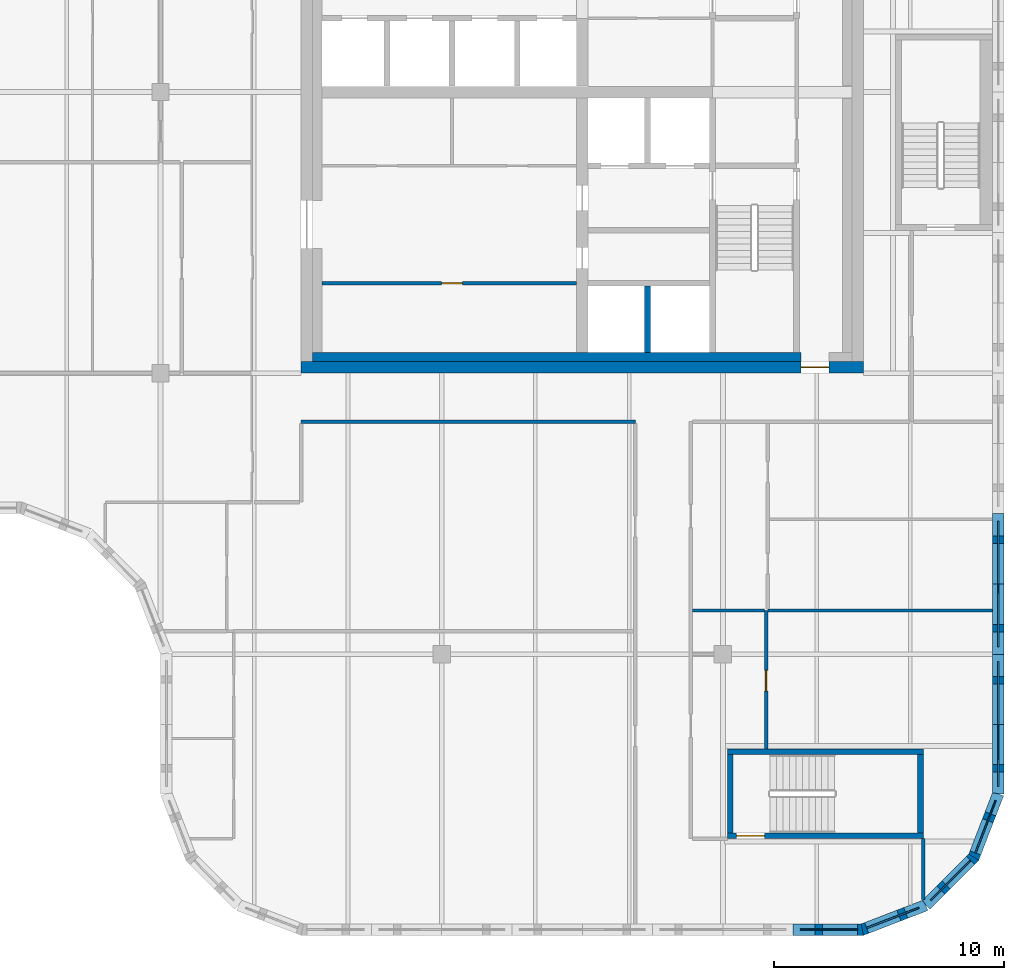
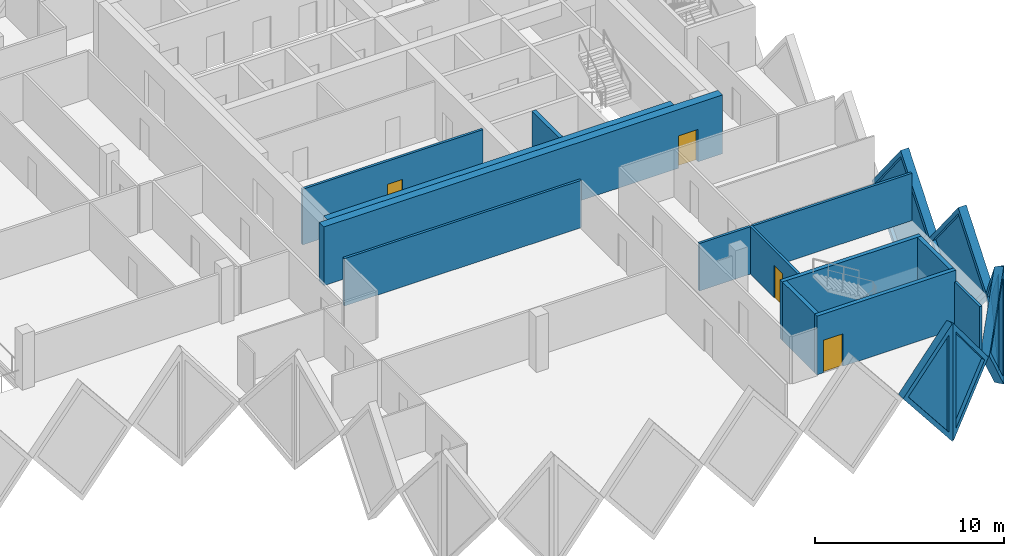
# One storey, part 5 of 11: 19 walls, 6 plates, 4 doors, 10 openings.
"""IFC4 building model written with IfcOpenShell, lengths in metres."""

import ifcopenshell
import ifcopenshell.guid

model = None  # the IFC model being written
_history = None  # IfcOwnerHistory: only IFC2X3 demands one
_inside = {}  # id of a spatial element -> (the spatial element, [elements in it])
_under = {}  # id of a project, library or spatial element -> (it, [spatial elements below it])
_declared = {}  # id of a project -> (the project, [libraries it declares])
_typed = {}  # id of a type object -> (the type object, [elements of that type])
_made_of = {}  # id of a material, layer set ... -> (it, [elements and type objects made of it])


def new_model(schema):
    """Start an empty IFC model of exactly this schema.

    Asked for "IFC4X3", IfcOpenShell would pick the latest addendum, in which some entities
    have other attributes; the version numbers below select the first issue.
    IFC2X3 requires an IfcOwnerHistory on every rooted entity: one is made here for all.
    """
    global model, _history
    if schema == "IFC4X3":
        model = ifcopenshell.file(schema_version=(4, 3, 0, 0))
    else:
        model = ifcopenshell.file(schema=schema)
    _inside.clear()
    _under.clear()
    _declared.clear()
    _typed.clear()
    _made_of.clear()
    _history = None
    if model.schema == "IFC2X3":
        org = make("IfcOrganization", Name="unknown")
        user = make(
            "IfcPersonAndOrganization",
            ThePerson=make("IfcPerson", FamilyName="unknown"),
            TheOrganization=org,
        )
        app = make(
            "IfcApplication",
            ApplicationDeveloper=org,
            Version="unknown",
            ApplicationFullName="unknown",
            ApplicationIdentifier="unknown",
        )
        _history = make(
            "IfcOwnerHistory",
            OwningUser=user,
            OwningApplication=app,
            ChangeAction="ADDED",
            CreationDate=0,
        )
    return model


def make(cls, **values):
    """One entity of the class cls with the attributes given. An attribute that is None is left unset."""
    return model.create_entity(
        cls, **{name: value for name, value in values.items() if value is not None}
    )


def rooted(cls, **values):
    """An entity with a GlobalId (a new one), such as an element, a storey or a relation."""
    return make(cls, GlobalId=ifcopenshell.guid.new(), OwnerHistory=_history, **values)


def si_unit(unit_type, name, prefix=None):
    """IfcSIUnit, for example si_unit("LENGTHUNIT", "METRE", prefix="MILLI")."""
    return make("IfcSIUnit", UnitType=unit_type, Prefix=prefix, Name=name)


def assignment(units):
    """IfcUnitAssignment: the units of a project."""
    return None if units is None else make("IfcUnitAssignment", Units=units)


def point(xyz):
    """IfcCartesianPoint."""
    return None if xyz is None else make("IfcCartesianPoint", Coordinates=xyz)


def direction(xyz):
    """IfcDirection."""
    return None if xyz is None else make("IfcDirection", DirectionRatios=xyz)


def frame(location, z_axis=None, x_axis=None):
    """IfcAxis2Placement3D, a coordinate frame: its origin and axes. An axis left out is left unset."""
    return make(
        "IfcAxis2Placement3D",
        Location=point(location),
        Axis=direction(z_axis),
        RefDirection=direction(x_axis),
    )


def frame_2d(location, x_axis=None):
    """IfcAxis2Placement2D, a coordinate frame in the plane: its origin and x axis."""
    return make(
        "IfcAxis2Placement2D", Location=point(location), RefDirection=direction(x_axis)
    )


def origin():
    """The frame at (0, 0, 0) with its axes left unset."""
    return frame((0.0, 0.0, 0.0))


def place(relative_to, where):
    """IfcLocalPlacement: puts the frame where relative to a parent placement (None: the world)."""
    return make(
        "IfcLocalPlacement", PlacementRelTo=relative_to, RelativePlacement=where
    )


def context(
    kind, dimensions, precision=None, world=None, true_north=None, identifier=None
):
    """IfcGeometricRepresentationContext, for example the 3D "Model" context."""
    return make(
        "IfcGeometricRepresentationContext",
        ContextIdentifier=identifier,
        ContextType=kind,
        CoordinateSpaceDimension=dimensions,
        Precision=precision,
        WorldCoordinateSystem=world,
        TrueNorth=true_north,
    )


def subcontext(parent, identifier, kind, view, scale=None):
    """IfcGeometricRepresentationSubContext, for example "Body" below "Model"."""
    return make(
        "IfcGeometricRepresentationSubContext",
        ContextIdentifier=identifier,
        ContextType=kind,
        ParentContext=parent,
        TargetScale=scale,
        TargetView=view,
    )


def project(units=None, contexts=None):
    """IfcProject with its units and contexts."""
    return rooted(
        "IfcProject",
        Name="project",
        RepresentationContexts=contexts,
        UnitsInContext=assignment(units),
    )


def spatial(cls, under=None, at=None, **own):
    """A site, building, storey or space (cls), placed at a placement, below another one or the project."""
    s = rooted(cls, ObjectPlacement=at, **own)
    if under is not None:
        _under.setdefault(under.id(), (under, []))[1].append(s)
    return s


def polyline(points):
    """IfcPolyline through the points."""
    return make("IfcPolyline", Points=[point(p) for p in points])


def profile(cls, at=None, kind="AREA", **sizes):
    """A parametric profile (cls). Its sizes go by their IFC names, for example OverallWidth=200.0."""
    return make(cls, ProfileType=kind, Position=at, **sizes)


def rectangle(**sizes):
    """IfcRectangleProfileDef."""
    return profile("IfcRectangleProfileDef", **sizes)


def outline(outer, holes=None, kind="AREA"):
    """IfcArbitraryClosedProfileDef: a profile drawn as a closed curve; with holes, ...WithVoids."""
    if holes is None:
        return make("IfcArbitraryClosedProfileDef", ProfileType=kind, OuterCurve=outer)
    return make(
        "IfcArbitraryProfileDefWithVoids",
        ProfileType=kind,
        OuterCurve=outer,
        InnerCurves=holes,
    )


def extrude(swept, where, along, depth):
    """IfcExtrudedAreaSolid: the profile swept, set in the frame where, extruded along a direction by depth."""
    return make(
        "IfcExtrudedAreaSolid",
        SweptArea=swept,
        Position=where,
        ExtrudedDirection=direction(along),
        Depth=depth,
    )


def faces_of(points, faces, orient=None, outer=None):
    """IfcFace entities. A face is a list of loops; a loop is a list of indices into points, from 0.

    orient and outer hold one flag for each loop. By default every Orientation is true, the
    first loop of a face is its IfcFaceOuterBound and the others are IfcFaceBound.
    """
    made = []
    for i, loops in enumerate(faces):
        bounds = []
        for j, loop in enumerate(loops):
            is_outer = j == 0 if outer is None else outer[i][j]
            bounds.append(
                make(
                    "IfcFaceOuterBound" if is_outer else "IfcFaceBound",
                    Bound=make("IfcPolyLoop", Polygon=[points[k] for k in loop]),
                    Orientation=True if orient is None else orient[i][j],
                )
            )
        made.append(make("IfcFace", Bounds=bounds))
    return made


def faceted_brep(points, faces, orient=None, outer=None, voids=None):
    """IfcFacetedBrep: a solid bounded by flat faces; with voids (closed shells), ...WithVoids."""
    shared = [point(p) for p in points]
    hull = make("IfcClosedShell", CfsFaces=faces_of(shared, faces, orient, outer))
    if voids is None:
        return make("IfcFacetedBrep", Outer=hull)
    return make(
        "IfcFacetedBrepWithVoids",
        Outer=hull,
        Voids=[
            make(cls, CfsFaces=faces_of(shared, fs, o, b)) for cls, fs, o, b in voids
        ],
    )


def shape(context_of_items, identifier, shape_type, items):
    """IfcShapeRepresentation: the items that make up one representation, for example the "Body"."""
    return make(
        "IfcShapeRepresentation",
        ContextOfItems=context_of_items,
        RepresentationIdentifier=identifier,
        RepresentationType=shape_type,
        Items=items,
    )


def source(mapping_origin, context_of_items, identifier, shape_type, items):
    """IfcRepresentationMap: a shape defined once, which mapped items show again and again."""
    return make(
        "IfcRepresentationMap",
        MappingOrigin=mapping_origin,
        MappedRepresentation=shape(context_of_items, identifier, shape_type, items),
    )


def transform(
    local_origin,
    x_axis=None,
    y_axis=None,
    z_axis=None,
    scale=None,
    scale2=None,
    scale3=None,
    uniform=True,
):
    """IfcCartesianTransformationOperator3D, or its non-uniform kind. x_axis, y_axis, z_axis: its Axis1, 2, 3."""
    if uniform:
        return make(
            "IfcCartesianTransformationOperator3D",
            Axis1=direction(x_axis),
            Axis2=direction(y_axis),
            LocalOrigin=point(local_origin),
            Scale=scale,
            Axis3=direction(z_axis),
        )
    return make(
        "IfcCartesianTransformationOperator3DnonUniform",
        Axis1=direction(x_axis),
        Axis2=direction(y_axis),
        LocalOrigin=point(local_origin),
        Scale=scale,
        Axis3=direction(z_axis),
        Scale2=scale2,
        Scale3=scale3,
    )


def mapped(mapping_source, mapping_target):
    """IfcMappedItem: shows the shape of a source again, moved by a transform."""
    return make(
        "IfcMappedItem", MappingSource=mapping_source, MappingTarget=mapping_target
    )


def material(Name=None, Category=None):
    """IfcMaterial."""
    return make("IfcMaterial", Name=Name, Category=Category)


def layer(
    of_material, thickness, ventilated=None, Name=None, Category=None, Priority=None
):
    """IfcMaterialLayer: one layer of a wall or slab, of a material (None: an air gap)."""
    return make(
        "IfcMaterialLayer",
        Material=of_material,
        LayerThickness=thickness,
        IsVentilated=ventilated,
        Name=Name,
        Category=Category,
        Priority=Priority,
    )


def layer_set(layers, Name=None):
    """IfcMaterialLayerSet."""
    return make("IfcMaterialLayerSet", MaterialLayers=layers, LayerSetName=Name)


def made_of(thing, what):
    """Note that an element or type object is made of a material, layer set ...; save() writes the relation."""
    if what is not None:
        _made_of.setdefault(what.id(), (what, []))[1].append(thing)
    return thing


def type_object(cls, material=None, **own):
    """A type object (cls), such as IfcWallType, which elements share."""
    return made_of(rooted(cls, **own), material)


def element(
    cls,
    number,
    at=None,
    inside=None,
    cuts=None,
    type_object=None,
    material=None,
    context=None,
    identifier="Body",
    shape_type=None,
    held_by="IfcProductDefinitionShape",
    body=None,
    shapes=None,
    **own,
):
    """One element of the class cls, such as IfcWall. Its Tag is "e" and its number.

    at: its placement. inside: the storey or other place that contains it. cuts: it is an
    opening in that element (IfcRelVoidsElement). A single representation is given by context,
    identifier, shape_type and body (its items); several are given by shapes. held_by: the class
    of the entity that holds the representations. save() writes the other relations.
    """
    e = rooted(cls, Tag="e%d" % number, ObjectPlacement=at, **own)
    if body is not None:
        shapes = [shape(context, identifier, shape_type, body)]
    if shapes is not None:
        e.Representation = make(held_by, Representations=shapes)
    if inside is not None:
        _inside.setdefault(inside.id(), (inside, []))[1].append(e)
    if cuts is not None:
        rooted(
            "IfcRelVoidsElement", RelatingBuildingElement=cuts, RelatedOpeningElement=e
        )
    if type_object is not None:
        _typed.setdefault(type_object.id(), (type_object, []))[1].append(e)
    return made_of(e, material)


def fill(opening, filler):
    """IfcRelFillsElement: the door or window that sits in an opening."""
    return rooted(
        "IfcRelFillsElement",
        RelatingOpeningElement=opening,
        RelatedBuildingElement=filler,
    )


def aggregate(whole, parts):
    """IfcRelAggregates: a whole, such as a stair, and the parts it consists of."""
    return rooted("IfcRelAggregates", RelatingObject=whole, RelatedObjects=parts)


def save(model, path):
    """Write the relations noted so far, then the file.

    IfcRelAggregates (storeys below a building ...), IfcRelContainedInSpatialStructure (elements
    in a storey), IfcRelDefinesByType, IfcRelAssociatesMaterial and IfcRelDeclares: one each for
    every whole, place, type object, material and project.
    """
    for whole, parts in _under.values():
        aggregate(whole, parts)
    for where, things in _inside.values():
        rooted(
            "IfcRelContainedInSpatialStructure",
            RelatedElements=things,
            RelatingStructure=where,
        )
    for kind, things in _typed.values():
        rooted("IfcRelDefinesByType", RelatedObjects=things, RelatingType=kind)
    for what, things in _made_of.values():
        rooted("IfcRelAssociatesMaterial", RelatedObjects=things, RelatingMaterial=what)
    for by, libraries in _declared.values():
        rooted("IfcRelDeclares", RelatingContext=by, RelatedDefinitions=libraries)
    model.write(path)


model = new_model("IFC4")

# Units and contexts
model_context = context("Model", 3, precision=1e-05, world=origin(), true_north=direction((0.0, 1.0)))
body_context = subcontext(model_context, "Body", "Model", "MODEL_VIEW")
ifc_project = project(units=[si_unit("LENGTHUNIT", "METRE"), si_unit("AREAUNIT", "SQUARE_METRE"), si_unit("VOLUMEUNIT", "CUBIC_METRE"), si_unit("PLANEANGLEUNIT", "RADIAN"), si_unit("MASSUNIT", "GRAM", prefix="KILO")], contexts=[model_context])

# Site, building, storey
site_placement = place(None, origin())
site = spatial("IfcSite", under=ifc_project, at=site_placement, CompositionType="ELEMENT")
building_placement = place(site_placement, origin())
building = spatial("IfcBuilding", under=site, at=building_placement, Name="Tessera Gate Towers", CompositionType="ELEMENT")
storey_placement = place(building_placement, frame((0.0, 0.0, 205.5)))
storey = spatial("IfcBuildingStorey", under=building, at=storey_placement, Name="L51", CompositionType="ELEMENT", Elevation=205.5)

# Wall
ifc_material_1 = material(Name="Concrete C40/50", Category="concrete")
ifc_layer_1 = layer(ifc_material_1, 0.25)
ifc_layer_set_1 = layer_set([ifc_layer_1], Name="CORE ENCLOSURE WALL 250")
wall_type_1 = type_object("IfcWallType", Name="CORE ENCLOSURE WALL 250", PredefinedType="SOLIDWALL", material=ifc_layer_set_1)
wall_1_placement = place(storey_placement, frame((45.52490234375, 25.300048828125, 0.0), z_axis=(0.0, 0.0, 1.0), x_axis=(0.0, 1.0, 0.0)))
element("IfcWall", 1, at=wall_1_placement, inside=storey, type_object=wall_type_1, Name="L51 shaft and stair enclosure wall", PredefinedType="SOLIDWALL", context=body_context, shape_type="SweptSolid", body=[
    extrude(rectangle(XDim=2.875, YDim=0.25, at=frame_2d((1.4375, 0.0))), origin(), (0.0, 0.0, 1.0), 3.800048828125),
])

# Wall, opening, door
wall_2_placement = place(storey_placement, frame((57.5, 4.324951171875, 0.0), z_axis=(0.0, 0.0, 1.0), x_axis=(-1.0, 0.0, 0.0)))
wall_2 = element("IfcWall", 2, at=wall_2_placement, inside=storey, type_object=wall_type_1, Name="L51 ST4 enclosure wall", PredefinedType="SOLIDWALL", context=body_context, shape_type="SweptSolid", body=[
    extrude(rectangle(XDim=8.5, YDim=0.25, at=frame_2d((4.25, 0.0))), origin(), (0.0, 0.0, 1.0), 3.800048828125),
])
shared_shape_1 = source(origin(), body_context, "Body", "SweptSolid", [
    extrude(rectangle(XDim=1.199951171875, YDim=2.10009765625, at=frame_2d((0.60009765625, 1.050048828125))), frame((0.0, 0.135009765625, 0.0), z_axis=(0.0, -1.0, 0.0), x_axis=(1.0, 0.0, 0.0)), (0.0, 0.0, 1.0), 0.27001953125),
])
opening_1_placement = place(wall_2_placement, frame((6.89990234375, 0.0, 0.0)))
opening_1 = element("IfcOpeningElement", 3, at=opening_1_placement, cuts=wall_2, Name="Opening SD-ST4-1", PredefinedType="OPENING", context=body_context, shape_type="MappedRepresentation", body=[
    mapped(shared_shape_1, transform((0.0, 0.0, 0.0), scale=1.0)),
])
ifc_material_2 = material(Name="Hollow steel fire door", Category="steel")
door_type_1 = type_object("IfcDoorType", Name="CORE DOOR SD 1200x2100", OperationType="NOTDEFINED", PredefinedType="DOOR", material=ifc_material_2)
shared_shape_2 = source(origin(), body_context, "Body", "SweptSolid", [
    extrude(rectangle(XDim=1.199951171875, YDim=2.10009765625, at=frame_2d((0.60009765625, 1.050048828125))), frame((0.0, 0.02490234375, 0.0), z_axis=(0.0, -1.0, 0.0), x_axis=(1.0, 0.0, 0.0)), (0.0, 0.0, 1.0), 0.050048828125),
])
door_1_placement = place(opening_1_placement, origin())
door_1 = element("IfcDoor", 4, at=door_1_placement, inside=storey, type_object=door_type_1, Name="Stair door", OperationType="SINGLE_SWING_RIGHT", OverallHeight=2.10009765625, OverallWidth=1.199951171875, PredefinedType="DOOR", context=body_context, shape_type="MappedRepresentation", body=[
    mapped(shared_shape_2, transform((0.0, 0.0, 0.0), scale=1.0)),
])
fill(opening_1, door_1)

# Walls
wall_3_placement = place(storey_placement, frame((49.125, 4.449951171875, 0.0), z_axis=(0.0, 0.0, 1.0), x_axis=(0.0, 1.0, 0.0)))
element("IfcWall", 5, at=wall_3_placement, inside=storey, type_object=wall_type_1, Name="L51 ST4 enclosure wall", PredefinedType="SOLIDWALL", context=body_context, shape_type="SweptSolid", body=[
    extrude(rectangle(XDim=3.400146484375, YDim=0.25, at=frame_2d((1.7001953125, 0.0))), origin(), (0.0, 0.0, 1.0), 3.800048828125),
])
wall_4_placement = place(storey_placement, frame((49.0, 7.97509765625, 0.0), z_axis=(0.0, 0.0, 1.0), x_axis=(1.0, 0.0, 0.0)))
element("IfcWall", 6, at=wall_4_placement, inside=storey, type_object=wall_type_1, Name="L51 ST4 enclosure wall", PredefinedType="SOLIDWALL", context=body_context, shape_type="SweptSolid", body=[
    extrude(rectangle(XDim=8.5, YDim=0.25, at=frame_2d((4.25, 0.0))), origin(), (0.0, 0.0, 1.0), 3.800048828125),
])
wall_5_placement = place(storey_placement, frame((57.375, 7.85009765625, 0.0), z_axis=(0.0, 0.0, 1.0), x_axis=(0.0, -1.0, 0.0)))
element("IfcWall", 7, at=wall_5_placement, inside=storey, type_object=wall_type_1, Name="L51 ST4 enclosure wall", PredefinedType="SOLIDWALL", context=body_context, shape_type="SweptSolid", body=[
    extrude(rectangle(XDim=3.400146484375, YDim=0.25, at=frame_2d((1.7001953125, 0.0))), origin(), (0.0, 0.0, 1.0), 3.800048828125),
])

# Wall, opening, door
ifc_material_3 = material(Name="Concrete C50/60", Category="concrete")
ifc_layer_2 = layer(ifc_material_3, 0.5)
ifc_layer_set_2 = layer_set([ifc_layer_2], Name="CORE SHEAR WALL 500 C50/60")
wall_type_2 = type_object("IfcWallType", Name="CORE SHEAR WALL 500 C50/60", PredefinedType="SHEAR", material=ifc_layer_set_2)
wall_6_placement = place(storey_placement, frame((54.89990234375, 24.64990234375, 0.0), z_axis=(0.0, 0.0, 1.0), x_axis=(-1.0, 0.0, 0.0)))
wall_6 = element("IfcWall", 8, at=wall_6_placement, inside=storey, type_object=wall_type_2, Name="Core wall S L51", PredefinedType="SHEAR", context=body_context, shape_type="SweptSolid", body=[
    extrude(rectangle(XDim=24.39990234375, YDim=0.5, at=frame_2d((12.199951171875, 0.0))), origin(), (0.0, 0.0, 1.0), 3.800048828125),
])
shared_shape_3 = source(origin(), body_context, "Body", "SweptSolid", [
    extrude(rectangle(XDim=1.199951171875, YDim=2.10009765625, at=frame_2d((0.60009765625, 1.050048828125))), frame((0.0, 0.260009765625, 0.0), z_axis=(0.0, -1.0, 0.0), x_axis=(1.0, 0.0, 0.0)), (0.0, 0.0, 1.0), 0.52001953125),
])
opening_2_placement = place(wall_6_placement, frame((1.5, 0.0, 0.0)))
opening_2 = element("IfcOpeningElement", 9, at=opening_2_placement, cuts=wall_6, Name="Opening ED-T1-31-01", PredefinedType="OPENING", context=body_context, shape_type="MappedRepresentation", body=[
    mapped(shared_shape_3, transform((0.0, 0.0, 0.0), scale=1.0)),
])
ifc_material_4 = material(Name="Hollow steel fire door", Category="steel")
door_type_2 = type_object("IfcDoorType", Name="CORE DOOR ED 1200x2100", OperationType="NOTDEFINED", PredefinedType="DOOR", material=ifc_material_4)
door_2_placement = place(opening_2_placement, origin())
door_2 = element("IfcDoor", 10, at=door_2_placement, inside=storey, type_object=door_type_2, Name="Core exit door", OperationType="SINGLE_SWING_LEFT", OverallHeight=2.10009765625, OverallWidth=1.199951171875, PredefinedType="DOOR", context=body_context, shape_type="MappedRepresentation", body=[
    mapped(shared_shape_2, transform((0.0, 0.0, 0.0), scale=1.0)),
])
fill(opening_2, door_2)

# Walls
ifc_material_5 = material(Name="Concrete C50/60", Category="concrete")
ifc_layer_3 = layer(ifc_material_5, 0.39990234375)
ifc_layer_set_3 = layer_set([ifc_layer_3], Name="CORE WALL THICKENING 400")
wall_type_3 = type_object("IfcWallType", Name="CORE WALL THICKENING 400", PredefinedType="SOLIDWALL", material=ifc_layer_set_3)
wall_7_placement = place(storey_placement, frame((31.0, 25.10009765625, 0.0), z_axis=(0.0, 0.0, 1.0), x_axis=(1.0, 0.0, 0.0)))
element("IfcWall", 11, at=wall_7_placement, inside=storey, type_object=wall_type_3, Name="Core wall thickening S L51", PredefinedType="SOLIDWALL", context=body_context, shape_type="SweptSolid", body=[
    extrude(rectangle(XDim=21.199951171875, YDim=0.39990234375, at=frame_2d((10.60009765625, 0.0))), origin(), (0.0, 0.0, 1.0), 3.800048828125),
])
ifc_material_6 = material(Name="Gypsum board on steel studs, mineral wool", Category="steel")
ifc_layer_4 = layer(ifc_material_6, 0.14990234375)
ifc_layer_set_4 = layer_set([ifc_layer_4], Name="CORRIDOR WALL 150")
wall_type_4 = type_object("IfcWallType", Name="CORRIDOR WALL 150", PredefinedType="PARTITIONING", material=ifc_layer_set_4)
wall_8_placement = place(storey_placement, frame((57.5, 1.55908203125, 0.0), z_axis=(0.0, 0.0, 1.0), x_axis=(0.0, 1.0, 0.0)))
element("IfcWall", 12, at=wall_8_placement, inside=storey, type_object=wall_type_4, Name="T1-L51-PW-002", PredefinedType="PARTITIONING", context=body_context, shape_type="SweptSolid", body=[
    extrude(rectangle(XDim=2.640869140625, YDim=0.14990234375, at=frame_2d((1.3203125, 0.0))), origin(), (0.0, 0.0, 1.0), 3.06689453125),
])
wall_9_placement = place(storey_placement, frame((30.5, 22.300048828125, 0.0), z_axis=(0.0, 0.0, 1.0), x_axis=(1.0, 0.0, 0.0)))
element("IfcWall", 13, at=wall_9_placement, inside=storey, type_object=wall_type_4, Name="T1-L51-PW-026", PredefinedType="PARTITIONING", context=body_context, shape_type="SweptSolid", body=[
    extrude(rectangle(XDim=14.5, YDim=0.14990234375, at=frame_2d((7.25, 0.0))), origin(), (0.0, 0.0, 1.0), 3.06689453125),
])

# Wall, opening, door
ifc_material_7 = material(Name="Gypsum board on steel studs", Category="steel")
ifc_layer_5 = layer(ifc_material_7, 0.14990234375)
ifc_layer_set_5 = layer_set([ifc_layer_5], Name="SERVICE ROOM WALL 150")
wall_type_5 = type_object("IfcWallType", Name="SERVICE ROOM WALL 150", PredefinedType="PARTITIONING", material=ifc_layer_set_5)
wall_10_placement = place(storey_placement, frame((42.449951171875, 28.300048828125, 0.0), z_axis=(0.0, 0.0, 1.0), x_axis=(-1.0, 0.0, 0.0)))
wall_10 = element("IfcWall", 14, at=wall_10_placement, inside=storey, type_object=wall_type_5, Name="L51 service room wall", PredefinedType="PARTITIONING", context=body_context, shape_type="SweptSolid", body=[
    extrude(rectangle(XDim=11.050048828125, YDim=0.14990234375, at=frame_2d((5.52490234375, 0.0))), origin(), (0.0, 0.0, 1.0), 3.60009765625),
])
shared_shape_4 = source(origin(), body_context, "Body", "SweptSolid", [
    extrude(rectangle(XDim=0.89990234375, YDim=2.10009765625, at=frame_2d((0.449951171875, 1.050048828125))), frame((0.0, 0.0849609375, 0.0), z_axis=(0.0, -1.0, 0.0), x_axis=(1.0, 0.0, 0.0)), (0.0, 0.0, 1.0), 0.169921875),
])
opening_3_placement = place(wall_10_placement, frame((4.949951171875, 0.0, 0.0)))
opening_3 = element("IfcOpeningElement", 15, at=opening_3_placement, cuts=wall_10, Name="Opening RD-T1-31-07", PredefinedType="OPENING", context=body_context, shape_type="MappedRepresentation", body=[
    mapped(shared_shape_4, transform((0.0, 0.0, 0.0), scale=1.0)),
])
ifc_material_8 = material(Name="Hollow steel fire door", Category="steel")
door_type_3 = type_object("IfcDoorType", Name="CORE DOOR RD 900x2100", OperationType="NOTDEFINED", PredefinedType="DOOR", material=ifc_material_8)
shared_shape_5 = source(origin(), body_context, "Body", "SweptSolid", [
    extrude(rectangle(XDim=0.89990234375, YDim=2.10009765625, at=frame_2d((0.449951171875, 1.050048828125))), frame((0.0, 0.02490234375, 0.0), z_axis=(0.0, -1.0, 0.0), x_axis=(1.0, 0.0, 0.0)), (0.0, 0.0, 1.0), 0.050048828125),
])
door_3_placement = place(opening_3_placement, origin())
door_3 = element("IfcDoor", 16, at=door_3_placement, inside=storey, type_object=door_type_3, Name="Core room door", OperationType="SINGLE_SWING_LEFT", OverallHeight=2.10009765625, OverallWidth=0.89990234375, PredefinedType="DOOR", context=body_context, shape_type="MappedRepresentation", body=[
    mapped(shared_shape_5, transform((0.0, 0.0, 0.0), scale=1.0)),
])
fill(opening_3, door_3)

ifc_material_9 = material(Name="Gypsum board on steel studs, mineral wool", Category="steel")
ifc_layer_6 = layer(ifc_material_9, 0.14990234375)
ifc_layer_set_6 = layer_set([ifc_layer_6], Name="TENANCY WALL 150")
wall_type_6 = type_object("IfcWallType", Name="TENANCY WALL 150", PredefinedType="PARTITIONING", material=ifc_layer_set_6)
wall_11_placement = place(storey_placement, frame((50.675048828125, 14.10009765625, 0.0), z_axis=(0.0, 0.0, 1.0), x_axis=(0.0, -1.0, 0.0)))
wall_11 = element("IfcWall", 17, at=wall_11_placement, inside=storey, type_object=wall_type_6, Name="T1-L51-PW-007", PredefinedType="PARTITIONING", context=body_context, shape_type="SweptSolid", body=[
    extrude(rectangle(XDim=6.0, YDim=0.14990234375, at=frame_2d((3.0, 0.0))), origin(), (0.0, 0.0, 1.0), 3.06689453125),
])
opening_4_placement = place(wall_11_placement, frame((2.60009765625, 0.0, 0.0)))
opening_4 = element("IfcOpeningElement", 18, at=opening_4_placement, cuts=wall_11, Name="Opening D190-A18-04", PredefinedType="OPENING", context=body_context, shape_type="MappedRepresentation", body=[
    mapped(shared_shape_4, transform((0.0, 0.0, 0.0), scale=1.0)),
])
ifc_material_10 = material(Name="Timber door leaf in steel frame", Category="steel")
door_type_4 = type_object("IfcDoorType", Name="INTERNAL DOOR 900 NOT RATED", OperationType="NOTDEFINED", PredefinedType="DOOR", material=ifc_material_10)
door_4_placement = place(opening_4_placement, origin())
door_4 = element("IfcDoor", 19, at=door_4_placement, inside=storey, type_object=door_type_4, Name="T1-L51-PD-009", OperationType="SINGLE_SWING_RIGHT", OverallHeight=2.10009765625, OverallWidth=0.89990234375, PredefinedType="DOOR", context=body_context, shape_type="MappedRepresentation", body=[
    mapped(shared_shape_5, transform((0.0, 0.0, 0.0), scale=1.0)),
])
fill(opening_4, door_4)

# Walls
wall_12_placement = place(storey_placement, frame((47.47607421875, 14.10009765625, 0.0), z_axis=(0.0, 0.0, 1.0), x_axis=(1.0, 0.0, 0.0)))
element("IfcWall", 20, at=wall_12_placement, inside=storey, type_object=wall_type_6, Name="T1-L51-PW-015", PredefinedType="PARTITIONING", context=body_context, shape_type="SweptSolid", body=[
    extrude(rectangle(XDim=3.123046875, YDim=0.14990234375, at=frame_2d((1.5615234375, 0.0))), origin(), (0.0, 0.0, 1.0), 3.06689453125),
])
wall_13_placement = place(storey_placement, frame((50.75, 14.10009765625, 0.0), z_axis=(0.0, 0.0, 1.0), x_axis=(1.0, 0.0, 0.0)))
element("IfcWall", 21, at=wall_13_placement, inside=storey, type_object=wall_type_6, Name="T1-L51-PW-016", PredefinedType="PARTITIONING", context=body_context, shape_type="SweptSolid", body=[
    extrude(rectangle(XDim=9.75, YDim=0.14990234375, at=frame_2d((4.875, 0.0))), origin(), (0.0, 0.0, 1.0), 3.06689453125),
])

# Wall, opening, plate
ifc_material_11 = material(Name="Precast concrete C60/75 white", Category="concrete")
ifc_layer_7 = layer(ifc_material_11, 0.5)
ifc_layer_set_7 = layer_set([ifc_layer_7], Name="TS1 tessera")
wall_type_7 = type_object("IfcWallType", Name="TS1 tessera", PredefinedType="SOLIDWALL", material=ifc_layer_set_7)
shared_shape_6 = source(origin(), body_context, "Body", "Brep", [
    faceted_brep([(3.00341796875, -0.25, 0.0), (6.053466796875, -0.25, 3.800048828125), (3.00341796875, -0.25, 7.60009765625), (0.0, -0.25, 3.800048828125), (0.046630859375, 0.25, 3.85888671875), (3.00341796875, 0.25, 7.60009765625), (6.053466796875, 0.25, 3.800048828125), (3.00341796875, 0.25, 0.0), (0.046630859375, 0.25, 3.7412109375), (0.0, 0.0, 3.800048828125)], [[[0, 1, 2, 3]], [[4, 5, 6, 7, 8]], [[7, 6, 1, 0]], [[6, 5, 2, 1]], [[5, 4, 9, 3, 2]], [[8, 7, 0, 3, 9]], [[8, 9, 4]]]),
])
wall_14_placement = place(storey_placement, frame((60.75, 6.146484375, -3.800048828125), z_axis=(0.0, 0.0, 1.0), x_axis=(0.0, 1.0, 0.0)))
wall_14 = element("IfcWall", 22, at=wall_14_placement, inside=storey, type_object=wall_type_7, Name="Precast tessera T1 TS1-0877", PredefinedType="SOLIDWALL", context=body_context, shape_type="MappedRepresentation", body=[
    mapped(shared_shape_6, transform((0.0, 0.0, 0.0), scale=1.0)),
])
shared_shape_7 = source(origin(), body_context, "Body", "SweptSolid", [
    extrude(outline(polyline([(3.0048828125, 0.4013671875), (5.73291015625, 3.800048828125), (3.0048828125, 7.19873046875), (0.318603515625, 3.800048828125), (3.0048828125, 0.4013671875)])), frame((0.0, 0.260009765625, 0.0), z_axis=(0.0, -1.0, 0.0), x_axis=(1.0, 0.0, 0.0)), (0.0, 0.0, 1.0), 0.52001953125),
])
opening_5_placement = place(wall_14_placement, origin())
opening_5 = element("IfcOpeningElement", 23, at=opening_5_placement, cuts=wall_14, Name="Opening T1-PL2-1795", PredefinedType="OPENING", context=body_context, shape_type="MappedRepresentation", body=[
    mapped(shared_shape_7, transform((0.0, 0.0, 0.0), scale=1.0)),
])
ifc_material_12 = material(Name="Low-e laminated glass", Category="glass")
ifc_layer_8 = layer(ifc_material_12, 0.06005859375)
ifc_layer_set_8 = layer_set([ifc_layer_8], Name="PL2 rhombic pane")
plate_type = type_object("IfcPlateType", Name="PL2 rhombic pane", PredefinedType="SHEET", material=ifc_layer_set_8)
shared_shape_8 = source(origin(), body_context, "Body", "SweptSolid", [
    extrude(outline(polyline([(3.0048828125, 0.4013671875), (5.73291015625, 3.800048828125), (3.0048828125, 7.19873046875), (0.318603515625, 3.800048828125), (3.0048828125, 0.4013671875)])), frame((0.0, 0.030029296875, 0.0), z_axis=(0.0, -1.0, 0.0), x_axis=(1.0, 0.0, 0.0)), (0.0, 0.0, 1.0), 0.06005859375),
])
plate_1_placement = place(opening_5_placement, origin())
plate_1 = element("IfcPlate", 24, at=plate_1_placement, inside=storey, type_object=plate_type, Name="Glass pane T1 PL2-1795", PredefinedType="SHEET", context=body_context, shape_type="MappedRepresentation", body=[
    mapped(shared_shape_8, transform((0.0, 0.0, 0.0), scale=1.0)),
])
fill(opening_5, plate_1)

shared_shape_9 = source(origin(), body_context, "Body", "SweptSolid", [
    extrude(outline(polyline([(3.050048828125, 0.0), (6.10009765625, 3.800048828125), (3.050048828125, 7.60009765625), (0.0, 3.800048828125), (3.050048828125, 0.0)])), frame((0.0, 0.25, 0.0), z_axis=(0.0, -1.0, 0.0), x_axis=(1.0, 0.0, 0.0)), (0.0, 0.0, 1.0), 0.5),
])
wall_15_placement = place(storey_placement, frame((60.75, 12.199951171875, -3.800048828125), z_axis=(0.0, 0.0, 1.0), x_axis=(0.0, 1.0, 0.0)))
wall_15 = element("IfcWall", 25, at=wall_15_placement, inside=storey, type_object=wall_type_7, Name="Precast tessera T1 TS1-0878", PredefinedType="SOLIDWALL", context=body_context, shape_type="MappedRepresentation", body=[
    mapped(shared_shape_9, transform((0.0, 0.0, 0.0), scale=1.0)),
])
shared_shape_10 = source(origin(), body_context, "Body", "SweptSolid", [
    extrude(outline(polyline([(3.050048828125, 0.3994140625), (5.779541015625, 3.800048828125), (3.050048828125, 7.20068359375), (0.320556640625, 3.800048828125), (3.050048828125, 0.3994140625)])), frame((0.0, 0.260009765625, 0.0), z_axis=(0.0, -1.0, 0.0), x_axis=(1.0, 0.0, 0.0)), (0.0, 0.0, 1.0), 0.52001953125),
])
opening_6_placement = place(wall_15_placement, origin())
opening_6 = element("IfcOpeningElement", 26, at=opening_6_placement, cuts=wall_15, Name="Opening T1-PL2-1796", PredefinedType="OPENING", context=body_context, shape_type="MappedRepresentation", body=[
    mapped(shared_shape_10, transform((0.0, 0.0, 0.0), scale=1.0)),
])
shared_shape_11 = source(origin(), body_context, "Body", "SweptSolid", [
    extrude(outline(polyline([(3.050048828125, 0.3994140625), (5.779541015625, 3.800048828125), (3.050048828125, 7.20068359375), (0.320556640625, 3.800048828125), (3.050048828125, 0.3994140625)])), frame((0.0, 0.030029296875, 0.0), z_axis=(0.0, -1.0, 0.0), x_axis=(1.0, 0.0, 0.0)), (0.0, 0.0, 1.0), 0.06005859375),
])
plate_2_placement = place(opening_6_placement, origin())
plate_2 = element("IfcPlate", 27, at=plate_2_placement, inside=storey, type_object=plate_type, Name="Glass pane T1 PL2-1796", PredefinedType="SHEET", context=body_context, shape_type="MappedRepresentation", body=[
    mapped(shared_shape_11, transform((0.0, 0.0, 0.0), scale=1.0)),
])
fill(opening_6, plate_2)

ifc_material_13 = material(Name="Precast concrete C60/75 white", Category="concrete")
ifc_layer_9 = layer(ifc_material_13, 0.5)
ifc_layer_set_9 = layer_set([ifc_layer_9], Name="TS3 corner tessera")
wall_type_8 = type_object("IfcWallType", Name="TS3 corner tessera", PredefinedType="SOLIDWALL", material=ifc_layer_set_9)
shared_shape_12 = source(origin(), body_context, "Body", "Brep", [
    faceted_brep([(3.00341796875, -0.25, 0.0), (3.050048828125, -0.25, 0.06005859375), (3.050048828125, -0.25, 7.5400390625), (3.00341796875, -0.25, 7.60009765625), (0.0, -0.25, 3.800048828125), (0.0, 0.25, 3.800048828125), (2.956787109375, 0.25, 7.541259765625), (2.956787109375, 0.25, 0.058837890625), (3.00341796875, 0.000244140625, 0.0), (3.00341796875, 0.000244140625, 7.60009765625)], [[[0, 1, 2, 3, 4]], [[5, 6, 7]], [[1, 0, 8]], [[9, 3, 2]], [[6, 5, 4, 3, 9]], [[5, 7, 8, 0, 4]], [[1, 8, 7, 6, 9, 2]]]),
])
wall_16_placement = place(storey_placement, frame((51.85009765625, 0.25, -3.800048828125), z_axis=(0.0, 0.0, 1.0), x_axis=(1.0, 0.0, 0.0)))
wall_16 = element("IfcWall", 28, at=wall_16_placement, inside=storey, type_object=wall_type_8, Name="Precast corner tessera T1 TS3-1179", PredefinedType="SOLIDWALL", context=body_context, shape_type="MappedRepresentation", body=[
    mapped(shared_shape_12, transform((0.0, 0.0, 0.0), scale=1.0)),
])
shared_shape_13 = source(origin(), body_context, "Body", "SweptSolid", [
    extrude(outline(polyline([(2.803466796875, 6.94384765625), (0.318603515625, 3.800048828125), (2.803466796875, 0.65625), (2.803466796875, 6.94384765625)])), frame((0.0, 0.260009765625, 0.0), z_axis=(0.0, -1.0, 0.0), x_axis=(1.0, 0.0, 0.0)), (0.0, 0.0, 1.0), 0.52001953125),
])
opening_7_placement = place(wall_16_placement, origin())
opening_7 = element("IfcOpeningElement", 29, at=opening_7_placement, cuts=wall_16, Name="Opening T1-PL2-1791", PredefinedType="OPENING", context=body_context, shape_type="MappedRepresentation", body=[
    mapped(shared_shape_13, transform((0.0, 0.0, 0.0), scale=1.0)),
])
shared_shape_14 = source(origin(), body_context, "Body", "SweptSolid", [
    extrude(outline(polyline([(2.803466796875, 6.94384765625), (0.318603515625, 3.800048828125), (2.803466796875, 0.65625), (2.803466796875, 6.94384765625)])), frame((0.0, 0.030029296875, 0.0), z_axis=(0.0, -1.0, 0.0), x_axis=(1.0, 0.0, 0.0)), (0.0, 0.0, 1.0), 0.06005859375),
])
plate_3_placement = place(opening_7_placement, origin())
plate_3 = element("IfcPlate", 30, at=plate_3_placement, inside=storey, type_object=plate_type, Name="Glass pane T1 PL2-1791", PredefinedType="SHEET", context=body_context, shape_type="MappedRepresentation", body=[
    mapped(shared_shape_14, transform((0.0, 0.0, 0.0), scale=1.0)),
])
fill(opening_7, plate_3)

shared_shape_15 = source(origin(), body_context, "Body", "Brep", [
    faceted_brep([(0.046630859375, -0.25, 0.0), (2.9970703125, -0.25, 3.800048828125), (0.046630859375, -0.25, 7.60009765625), (0.0, -0.25, 7.541259765625), (0.0, -0.25, 0.058837890625), (0.09326171875, 0.25, 7.5400390625), (2.9443359375, 0.25, 3.8681640625), (2.9443359375, 0.25, 3.73193359375), (0.09326171875, 0.25, 0.06005859375), (2.9970703125, 0.00048828125, 3.800048828125), (0.046630859375, 0.0, 0.0), (0.046630859375, 0.0, 7.60009765625)], [[[0, 1, 2, 3, 4]], [[5, 6, 7, 8]], [[8, 7, 9, 1, 0, 10]], [[6, 5, 11, 2, 1, 9]], [[3, 2, 11]], [[10, 0, 4]], [[8, 10, 4, 3, 11, 5]], [[9, 7, 6]]]),
])
wall_17_placement = place(storey_placement, frame((54.81005859375, 0.233154296875, -3.800048828125), z_axis=(0.0, 0.0, 1.0), x_axis=(0.932990326376, 0.359901446078, 0.0)))
wall_17 = element("IfcWall", 31, at=wall_17_placement, inside=storey, type_object=wall_type_8, Name="Precast corner tessera T1 TS3-1180", PredefinedType="SOLIDWALL", context=body_context, shape_type="MappedRepresentation", body=[
    mapped(shared_shape_15, transform((0.0, 0.0, 0.0), scale=1.0)),
])
shared_shape_16 = source(origin(), body_context, "Body", "SweptSolid", [
    extrude(outline(polyline([(0.24658203125, 0.665283203125), (2.6806640625, 3.800048828125), (0.24658203125, 6.934814453125), (0.24658203125, 0.665283203125)])), frame((0.0, 0.260009765625, 0.0), z_axis=(0.0, -1.0, 0.0), x_axis=(1.0, 0.0, 0.0)), (0.0, 0.0, 1.0), 0.52001953125),
])
opening_8_placement = place(wall_17_placement, origin())
opening_8 = element("IfcOpeningElement", 32, at=opening_8_placement, cuts=wall_17, Name="Opening T1-PL2-1792", PredefinedType="OPENING", context=body_context, shape_type="MappedRepresentation", body=[
    mapped(shared_shape_16, transform((0.0, 0.0, 0.0), scale=1.0)),
])
shared_shape_17 = source(origin(), body_context, "Body", "SweptSolid", [
    extrude(outline(polyline([(0.24658203125, 0.665283203125), (2.6806640625, 3.800048828125), (0.24658203125, 6.934814453125), (0.24658203125, 0.665283203125)])), frame((0.0, 0.030029296875, 0.0), z_axis=(0.0, -1.0, 0.0), x_axis=(1.0, 0.0, 0.0)), (0.0, 0.0, 1.0), 0.06005859375),
])
plate_4_placement = place(opening_8_placement, origin())
plate_4 = element("IfcPlate", 33, at=plate_4_placement, inside=storey, type_object=plate_type, Name="Glass pane T1 PL2-1792", PredefinedType="SHEET", context=body_context, shape_type="MappedRepresentation", body=[
    mapped(shared_shape_17, transform((0.0, 0.0, 0.0), scale=1.0)),
])
fill(opening_8, plate_4)

shared_shape_18 = source(origin(), body_context, "Body", "Brep", [
    faceted_brep([(2.944091796875, -0.25, 0.0), (2.9970703125, -0.25, 0.068115234375), (2.9970703125, -0.25, 7.531982421875), (2.944091796875, -0.25, 7.60009765625), (0.0, -0.25, 3.800048828125), (0.052978515625, 0.25, 3.868408203125), (2.89111328125, 0.25, 7.531982421875), (2.89111328125, 0.25, 0.068115234375), (0.052978515625, 0.25, 3.731689453125), (2.944091796875, 0.000244140625, 0.0), (2.944091796875, 0.000244140625, 7.60009765625), (0.0, 0.0, 3.800048828125)], [[[0, 1, 2, 3, 4]], [[5, 6, 7, 8]], [[1, 0, 9]], [[10, 3, 2]], [[6, 5, 11, 4, 3, 10]], [[8, 7, 9, 0, 4, 11]], [[8, 11, 5]], [[1, 9, 7, 6, 10, 2]]]),
])
wall_18_placement = place(storey_placement, frame((57.606201171875, 1.31201171875, -3.800048828125), z_axis=(0.0, 0.0, 1.0), x_axis=(0.707147509625, 0.707066050402, 0.0)))
wall_18 = element("IfcWall", 34, at=wall_18_placement, inside=storey, type_object=wall_type_8, Name="Precast corner tessera T1 TS3-1181", PredefinedType="SOLIDWALL", context=body_context, shape_type="MappedRepresentation", body=[
    mapped(shared_shape_18, transform((0.0, 0.0, 0.0), scale=1.0)),
])
shared_shape_19 = source(origin(), body_context, "Body", "SweptSolid", [
    extrude(outline(polyline([(2.744140625, 6.933837890625), (0.316162109375, 3.800048828125), (2.744140625, 0.666259765625), (2.744140625, 6.933837890625)])), frame((0.0, 0.260009765625, 0.0), z_axis=(0.0, -1.0, 0.0), x_axis=(1.0, 0.0, 0.0)), (0.0, 0.0, 1.0), 0.52001953125),
])
opening_9_placement = place(wall_18_placement, origin())
opening_9 = element("IfcOpeningElement", 35, at=opening_9_placement, cuts=wall_18, Name="Opening T1-PL2-1793", PredefinedType="OPENING", context=body_context, shape_type="MappedRepresentation", body=[
    mapped(shared_shape_19, transform((0.0, 0.0, 0.0), scale=1.0)),
])
shared_shape_20 = source(origin(), body_context, "Body", "SweptSolid", [
    extrude(outline(polyline([(2.744140625, 6.933837890625), (0.316162109375, 3.800048828125), (2.744140625, 0.666259765625), (2.744140625, 6.933837890625)])), frame((0.0, 0.030029296875, 0.0), z_axis=(0.0, -1.0, 0.0), x_axis=(1.0, 0.0, 0.0)), (0.0, 0.0, 1.0), 0.06005859375),
])
plate_5_placement = place(opening_9_placement, origin())
plate_5 = element("IfcPlate", 36, at=plate_5_placement, inside=storey, type_object=plate_type, Name="Glass pane T1 PL2-1793", PredefinedType="SHEET", context=body_context, shape_type="MappedRepresentation", body=[
    mapped(shared_shape_20, transform((0.0, 0.0, 0.0), scale=1.0)),
])
fill(opening_9, plate_5)

shared_shape_21 = source(origin(), body_context, "Body", "Brep", [
    faceted_brep([(0.052978515625, -0.25, 0.0), (3.00341796875, -0.25, 3.800048828125), (0.052978515625, -0.25, 7.60009765625), (0.0, -0.25, 7.53173828125), (0.0, -0.25, 0.068359375), (0.10595703125, 0.25, 7.531982421875), (2.95703125, 0.25, 3.85986328125), (2.95703125, 0.25, 3.740234375), (0.10595703125, 0.25, 0.068115234375), (3.00341796875, 0.00048828125, 3.800048828125), (0.052978515625, 0.0, 0.0), (0.052978515625, 0.0, 7.60009765625)], [[[0, 1, 2, 3, 4]], [[5, 6, 7, 8]], [[8, 7, 9, 1, 0, 10]], [[6, 5, 11, 2, 1, 9]], [[3, 2, 11]], [[10, 0, 4]], [[8, 10, 4, 3, 11, 5]], [[9, 7, 6]]]),
])
wall_19_placement = place(storey_placement, frame((59.6689453125, 3.34423828125, -3.800048828125), z_axis=(0.0, 0.0, 1.0), x_axis=(0.35992665181, 0.932980602862, 0.0)))
wall_19 = element("IfcWall", 37, at=wall_19_placement, inside=storey, type_object=wall_type_8, Name="Precast corner tessera T1 TS3-1182", PredefinedType="SOLIDWALL", context=body_context, shape_type="MappedRepresentation", body=[
    mapped(shared_shape_21, transform((0.0, 0.0, 0.0), scale=1.0)),
])
shared_shape_22 = source(origin(), body_context, "Body", "SweptSolid", [
    extrude(outline(polyline([(0.2529296875, 0.665283203125), (2.68701171875, 3.800048828125), (0.2529296875, 6.934814453125), (0.2529296875, 0.665283203125)])), frame((0.0, 0.260009765625, 0.0), z_axis=(0.0, -1.0, 0.0), x_axis=(1.0, 0.0, 0.0)), (0.0, 0.0, 1.0), 0.52001953125),
])
opening_10_placement = place(wall_19_placement, origin())
opening_10 = element("IfcOpeningElement", 38, at=opening_10_placement, cuts=wall_19, Name="Opening T1-PL2-1794", PredefinedType="OPENING", context=body_context, shape_type="MappedRepresentation", body=[
    mapped(shared_shape_22, transform((0.0, 0.0, 0.0), scale=1.0)),
])
shared_shape_23 = source(origin(), body_context, "Body", "SweptSolid", [
    extrude(outline(polyline([(0.2529296875, 0.665283203125), (2.68701171875, 3.800048828125), (0.2529296875, 6.934814453125), (0.2529296875, 0.665283203125)])), frame((0.0, 0.030029296875, 0.0), z_axis=(0.0, -1.0, 0.0), x_axis=(1.0, 0.0, 0.0)), (0.0, 0.0, 1.0), 0.06005859375),
])
plate_6_placement = place(opening_10_placement, origin())
plate_6 = element("IfcPlate", 39, at=plate_6_placement, inside=storey, type_object=plate_type, Name="Glass pane T1 PL2-1794", PredefinedType="SHEET", context=body_context, shape_type="MappedRepresentation", body=[
    mapped(shared_shape_23, transform((0.0, 0.0, 0.0), scale=1.0)),
])
fill(opening_10, plate_6)

save(model, "model.ifc")
